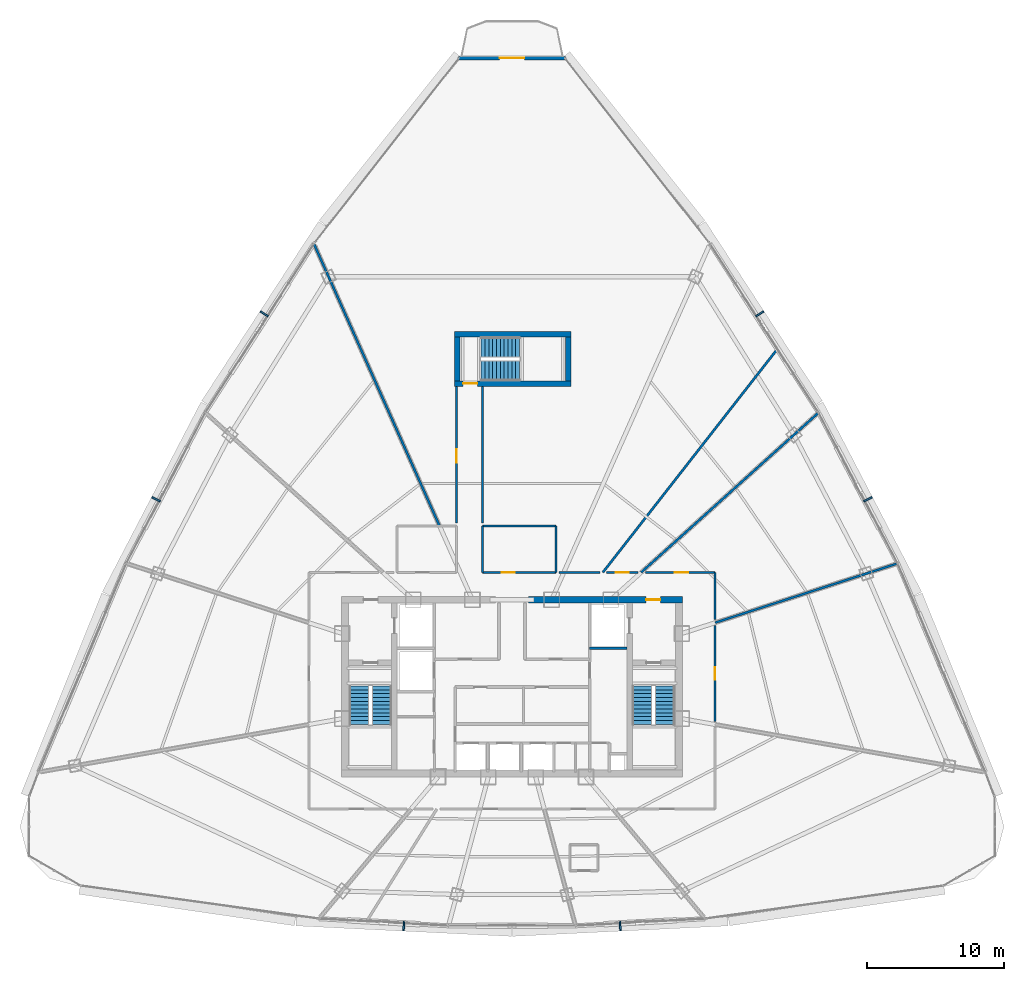
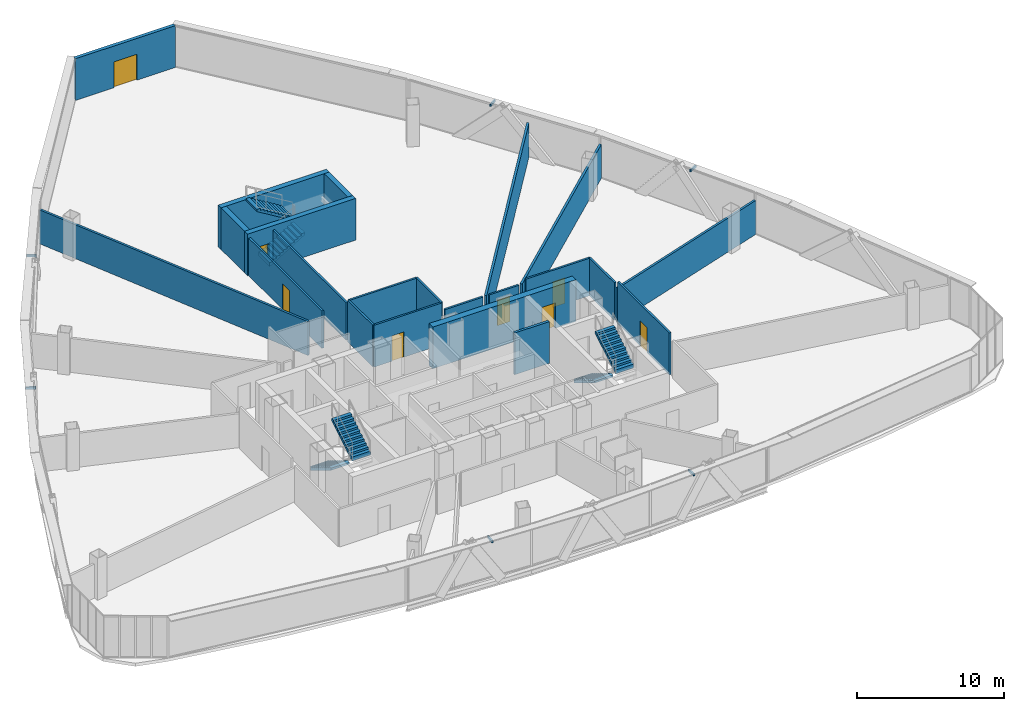
# One storey, part 32 of 36: 22 walls, 8 doors, 6 discrete accessories, 6 stair flights, 8 openings, 3 elements without a shape of their own.
"""IFC4 building model written with IfcOpenShell, lengths in metres."""

import ifcopenshell
import ifcopenshell.guid

model = None  # the IFC model being written
_history = None  # IfcOwnerHistory: only IFC2X3 demands one
_inside = {}  # id of a spatial element -> (the spatial element, [elements in it])
_under = {}  # id of a project, library or spatial element -> (it, [spatial elements below it])
_declared = {}  # id of a project -> (the project, [libraries it declares])
_typed = {}  # id of a type object -> (the type object, [elements of that type])
_made_of = {}  # id of a material, layer set ... -> (it, [elements and type objects made of it])


def new_model(schema):
    """Start an empty IFC model of exactly this schema.

    Asked for "IFC4X3", IfcOpenShell would pick the latest addendum, in which some entities
    have other attributes; the version numbers below select the first issue.
    IFC2X3 requires an IfcOwnerHistory on every rooted entity: one is made here for all.
    """
    global model, _history
    if schema == "IFC4X3":
        model = ifcopenshell.file(schema_version=(4, 3, 0, 0))
    else:
        model = ifcopenshell.file(schema=schema)
    _inside.clear()
    _under.clear()
    _declared.clear()
    _typed.clear()
    _made_of.clear()
    _history = None
    if model.schema == "IFC2X3":
        org = make("IfcOrganization", Name="unknown")
        user = make(
            "IfcPersonAndOrganization",
            ThePerson=make("IfcPerson", FamilyName="unknown"),
            TheOrganization=org,
        )
        app = make(
            "IfcApplication",
            ApplicationDeveloper=org,
            Version="unknown",
            ApplicationFullName="unknown",
            ApplicationIdentifier="unknown",
        )
        _history = make(
            "IfcOwnerHistory",
            OwningUser=user,
            OwningApplication=app,
            ChangeAction="ADDED",
            CreationDate=0,
        )
    return model


def make(cls, **values):
    """One entity of the class cls with the attributes given. An attribute that is None is left unset."""
    return model.create_entity(
        cls, **{name: value for name, value in values.items() if value is not None}
    )


def rooted(cls, **values):
    """An entity with a GlobalId (a new one), such as an element, a storey or a relation."""
    return make(cls, GlobalId=ifcopenshell.guid.new(), OwnerHistory=_history, **values)


def si_unit(unit_type, name, prefix=None):
    """IfcSIUnit, for example si_unit("LENGTHUNIT", "METRE", prefix="MILLI")."""
    return make("IfcSIUnit", UnitType=unit_type, Prefix=prefix, Name=name)


def assignment(units):
    """IfcUnitAssignment: the units of a project."""
    return None if units is None else make("IfcUnitAssignment", Units=units)


def point(xyz):
    """IfcCartesianPoint."""
    return None if xyz is None else make("IfcCartesianPoint", Coordinates=xyz)


def direction(xyz):
    """IfcDirection."""
    return None if xyz is None else make("IfcDirection", DirectionRatios=xyz)


def frame(location, z_axis=None, x_axis=None):
    """IfcAxis2Placement3D, a coordinate frame: its origin and axes. An axis left out is left unset."""
    return make(
        "IfcAxis2Placement3D",
        Location=point(location),
        Axis=direction(z_axis),
        RefDirection=direction(x_axis),
    )


def frame_2d(location, x_axis=None):
    """IfcAxis2Placement2D, a coordinate frame in the plane: its origin and x axis."""
    return make(
        "IfcAxis2Placement2D", Location=point(location), RefDirection=direction(x_axis)
    )


def origin():
    """The frame at (0, 0, 0) with its axes left unset."""
    return frame((0.0, 0.0, 0.0))


def origin_with_axes():
    """The frame at (0, 0, 0) with the z axis (0, 0, 1) and the x axis (1, 0, 0) written out."""
    return frame((0.0, 0.0, 0.0), z_axis=(0.0, 0.0, 1.0), x_axis=(1.0, 0.0, 0.0))


def origin_2d():
    """The frame at (0, 0) in the plane with its x axis left unset."""
    return frame_2d((0.0, 0.0))


def place(relative_to, where):
    """IfcLocalPlacement: puts the frame where relative to a parent placement (None: the world)."""
    return make(
        "IfcLocalPlacement", PlacementRelTo=relative_to, RelativePlacement=where
    )


def context(
    kind, dimensions, precision=None, world=None, true_north=None, identifier=None
):
    """IfcGeometricRepresentationContext, for example the 3D "Model" context."""
    return make(
        "IfcGeometricRepresentationContext",
        ContextIdentifier=identifier,
        ContextType=kind,
        CoordinateSpaceDimension=dimensions,
        Precision=precision,
        WorldCoordinateSystem=world,
        TrueNorth=true_north,
    )


def subcontext(parent, identifier, kind, view, scale=None):
    """IfcGeometricRepresentationSubContext, for example "Body" below "Model"."""
    return make(
        "IfcGeometricRepresentationSubContext",
        ContextIdentifier=identifier,
        ContextType=kind,
        ParentContext=parent,
        TargetScale=scale,
        TargetView=view,
    )


def project(units=None, contexts=None):
    """IfcProject with its units and contexts."""
    return rooted(
        "IfcProject",
        Name="project",
        RepresentationContexts=contexts,
        UnitsInContext=assignment(units),
    )


def spatial(cls, under=None, at=None, **own):
    """A site, building, storey or space (cls), placed at a placement, below another one or the project."""
    s = rooted(cls, ObjectPlacement=at, **own)
    if under is not None:
        _under.setdefault(under.id(), (under, []))[1].append(s)
    return s


def polyline(points):
    """IfcPolyline through the points."""
    return make("IfcPolyline", Points=[point(p) for p in points])


def profile(cls, at=None, kind="AREA", **sizes):
    """A parametric profile (cls). Its sizes go by their IFC names, for example OverallWidth=200.0."""
    return make(cls, ProfileType=kind, Position=at, **sizes)


def rectangle(**sizes):
    """IfcRectangleProfileDef."""
    return profile("IfcRectangleProfileDef", **sizes)


def outline(outer, holes=None, kind="AREA"):
    """IfcArbitraryClosedProfileDef: a profile drawn as a closed curve; with holes, ...WithVoids."""
    if holes is None:
        return make("IfcArbitraryClosedProfileDef", ProfileType=kind, OuterCurve=outer)
    return make(
        "IfcArbitraryProfileDefWithVoids",
        ProfileType=kind,
        OuterCurve=outer,
        InnerCurves=holes,
    )


def extrude(swept, where, along, depth):
    """IfcExtrudedAreaSolid: the profile swept, set in the frame where, extruded along a direction by depth."""
    return make(
        "IfcExtrudedAreaSolid",
        SweptArea=swept,
        Position=where,
        ExtrudedDirection=direction(along),
        Depth=depth,
    )


def shape(context_of_items, identifier, shape_type, items):
    """IfcShapeRepresentation: the items that make up one representation, for example the "Body"."""
    return make(
        "IfcShapeRepresentation",
        ContextOfItems=context_of_items,
        RepresentationIdentifier=identifier,
        RepresentationType=shape_type,
        Items=items,
    )


def source(mapping_origin, context_of_items, identifier, shape_type, items):
    """IfcRepresentationMap: a shape defined once, which mapped items show again and again."""
    return make(
        "IfcRepresentationMap",
        MappingOrigin=mapping_origin,
        MappedRepresentation=shape(context_of_items, identifier, shape_type, items),
    )


def transform(
    local_origin,
    x_axis=None,
    y_axis=None,
    z_axis=None,
    scale=None,
    scale2=None,
    scale3=None,
    uniform=True,
):
    """IfcCartesianTransformationOperator3D, or its non-uniform kind. x_axis, y_axis, z_axis: its Axis1, 2, 3."""
    if uniform:
        return make(
            "IfcCartesianTransformationOperator3D",
            Axis1=direction(x_axis),
            Axis2=direction(y_axis),
            LocalOrigin=point(local_origin),
            Scale=scale,
            Axis3=direction(z_axis),
        )
    return make(
        "IfcCartesianTransformationOperator3DnonUniform",
        Axis1=direction(x_axis),
        Axis2=direction(y_axis),
        LocalOrigin=point(local_origin),
        Scale=scale,
        Axis3=direction(z_axis),
        Scale2=scale2,
        Scale3=scale3,
    )


def mapped(mapping_source, mapping_target):
    """IfcMappedItem: shows the shape of a source again, moved by a transform."""
    return make(
        "IfcMappedItem", MappingSource=mapping_source, MappingTarget=mapping_target
    )


def material(Name=None, Category=None):
    """IfcMaterial."""
    return make("IfcMaterial", Name=Name, Category=Category)


def layer(
    of_material, thickness, ventilated=None, Name=None, Category=None, Priority=None
):
    """IfcMaterialLayer: one layer of a wall or slab, of a material (None: an air gap)."""
    return make(
        "IfcMaterialLayer",
        Material=of_material,
        LayerThickness=thickness,
        IsVentilated=ventilated,
        Name=Name,
        Category=Category,
        Priority=Priority,
    )


def layer_set(layers, Name=None):
    """IfcMaterialLayerSet."""
    return make("IfcMaterialLayerSet", MaterialLayers=layers, LayerSetName=Name)


def made_of(thing, what):
    """Note that an element or type object is made of a material, layer set ...; save() writes the relation."""
    if what is not None:
        _made_of.setdefault(what.id(), (what, []))[1].append(thing)
    return thing


def type_object(cls, material=None, **own):
    """A type object (cls), such as IfcWallType, which elements share."""
    return made_of(rooted(cls, **own), material)


def element(
    cls,
    number,
    at=None,
    inside=None,
    cuts=None,
    type_object=None,
    material=None,
    context=None,
    identifier="Body",
    shape_type=None,
    held_by="IfcProductDefinitionShape",
    body=None,
    shapes=None,
    **own,
):
    """One element of the class cls, such as IfcWall. Its Tag is "e" and its number.

    at: its placement. inside: the storey or other place that contains it. cuts: it is an
    opening in that element (IfcRelVoidsElement). A single representation is given by context,
    identifier, shape_type and body (its items); several are given by shapes. held_by: the class
    of the entity that holds the representations. save() writes the other relations.
    """
    e = rooted(cls, Tag="e%d" % number, ObjectPlacement=at, **own)
    if body is not None:
        shapes = [shape(context, identifier, shape_type, body)]
    if shapes is not None:
        e.Representation = make(held_by, Representations=shapes)
    if inside is not None:
        _inside.setdefault(inside.id(), (inside, []))[1].append(e)
    if cuts is not None:
        rooted(
            "IfcRelVoidsElement", RelatingBuildingElement=cuts, RelatedOpeningElement=e
        )
    if type_object is not None:
        _typed.setdefault(type_object.id(), (type_object, []))[1].append(e)
    return made_of(e, material)


def fill(opening, filler):
    """IfcRelFillsElement: the door or window that sits in an opening."""
    return rooted(
        "IfcRelFillsElement",
        RelatingOpeningElement=opening,
        RelatedBuildingElement=filler,
    )


def aggregate(whole, parts):
    """IfcRelAggregates: a whole, such as a stair, and the parts it consists of."""
    return rooted("IfcRelAggregates", RelatingObject=whole, RelatedObjects=parts)


def save(model, path):
    """Write the relations noted so far, then the file.

    IfcRelAggregates (storeys below a building ...), IfcRelContainedInSpatialStructure (elements
    in a storey), IfcRelDefinesByType, IfcRelAssociatesMaterial and IfcRelDeclares: one each for
    every whole, place, type object, material and project.
    """
    for whole, parts in _under.values():
        aggregate(whole, parts)
    for where, things in _inside.values():
        rooted(
            "IfcRelContainedInSpatialStructure",
            RelatedElements=things,
            RelatingStructure=where,
        )
    for kind, things in _typed.values():
        rooted("IfcRelDefinesByType", RelatedObjects=things, RelatingType=kind)
    for what, things in _made_of.values():
        rooted("IfcRelAssociatesMaterial", RelatedObjects=things, RelatingMaterial=what)
    for by, libraries in _declared.values():
        rooted("IfcRelDeclares", RelatingContext=by, RelatedDefinitions=libraries)
    model.write(path)


model = new_model("IFC4")

# Units and contexts
model_context = context("Model", 3, precision=1e-05, world=origin(), true_north=direction((0.0, 1.0)))
body_context = subcontext(model_context, "Body", "Model", "MODEL_VIEW")
ifc_project = project(units=[si_unit("LENGTHUNIT", "METRE"), si_unit("AREAUNIT", "SQUARE_METRE"), si_unit("VOLUMEUNIT", "CUBIC_METRE"), si_unit("PLANEANGLEUNIT", "RADIAN"), si_unit("MASSUNIT", "GRAM", prefix="KILO"), si_unit("THERMODYNAMICTEMPERATUREUNIT", "KELVIN"), si_unit("POWERUNIT", "WATT")], contexts=[model_context])

# Site, building, storey
site_placement = place(None, origin())
site = spatial("IfcSite", under=ifc_project, at=site_placement, CompositionType="ELEMENT")
building_placement = place(site_placement, origin())
building = spatial("IfcBuilding", under=site, at=building_placement, Name="Yunzhuo Pagoda Commons", CompositionType="ELEMENT")
storey_placement = place(building_placement, frame((0.0, 0.0, 244.530029296875)))
storey = spatial("IfcBuildingStorey", under=building, at=storey_placement, Name="L61", CompositionType="ELEMENT", Elevation=244.530029296875)

# Wall, opening, door
ifc_material_1 = material(Name="Precast concrete C40", Category="concrete")
ifc_layer_1 = layer(ifc_material_1, 0.260009765625)
ifc_layer_set_1 = layer_set([ifc_layer_1], Name="Precast concrete C40")
wall_type_1 = type_object("IfcWallType", Name="W-BAL1 Corner Balcony Threshold Wall 260", PredefinedType="STANDARD", material=ifc_layer_set_1)
wall_1_placement = place(storey_placement, frame((51.923583984375, 79.7998046875, 0.0), z_axis=(0.0, 0.0, 1.0), x_axis=(-1.0, 0.0, 0.0)))
wall_1 = element("IfcWall", 1, at=wall_1_placement, inside=storey, type_object=wall_type_1, Name="L61 corner balcony wall V3", PredefinedType="STANDARD", context=body_context, shape_type="SweptSolid", body=[
    extrude(rectangle(XDim=7.84716796875, YDim=0.260009765625, at=frame_2d((3.923583984375, 0.0))), origin(), (0.0, 0.0, 1.0), 3.469970703125),
])
opening_1_placement = place(wall_1_placement, frame((3.023681640625, 0.0, 0.0)))
opening_1 = element("IfcOpeningElement", 2, at=opening_1_placement, cuts=wall_1, Name="Opening D-BAL1", PredefinedType="OPENING", context=body_context, shape_type="SweptSolid", body=[
    extrude(rectangle(XDim=1.800048828125, YDim=2.14990234375, at=frame_2d((0.89990234375, 1.074951171875))), frame((0.0, 0.14013671875, 0.0), z_axis=(0.0, -1.0, 0.0), x_axis=(1.0, 0.0, 0.0)), (0.0, 0.0, 1.0), 0.280029296875),
])
ifc_material_2 = material(Name="Anodized aluminium frame and tempered glazed leaf", Category="aluminium")
door_type_1 = type_object("IfcDoorType", Name="D-BAL1 Corner Balcony Sliding Glazed Door 1800x2150", OperationType="DOUBLE_DOOR_SLIDING", PredefinedType="DOOR", material=ifc_material_2)
shared_shape_1 = source(origin(), body_context, "Body", "SweptSolid", [
    extrude(rectangle(XDim=1.800048828125, YDim=2.14990234375, at=frame_2d((0.89990234375, 1.074951171875))), frame((0.0, 0.02490234375, 0.0), z_axis=(0.0, -1.0, 0.0), x_axis=(1.0, 0.0, 0.0)), (0.0, 0.0, 1.0), 0.050048828125),
])
door_1_placement = place(opening_1_placement, origin_with_axes())
door_1 = element("IfcDoor", 3, at=door_1_placement, inside=storey, type_object=door_type_1, Name="L61 corner balcony sliding door V3", OperationType="DOUBLE_DOOR_SLIDING", OverallHeight=2.14990234375, OverallWidth=1.800048828125, PredefinedType="DOOR", context=body_context, shape_type="MappedRepresentation", body=[
    mapped(shared_shape_1, transform((0.0, 0.0, 0.0), scale=1.0)),
])
fill(opening_1, door_1)

ifc_material_3 = material(Name="Concrete C50", Category="concrete")
ifc_layer_2 = layer(ifc_material_3, 0.5)
ifc_layer_set_2 = layer_set([ifc_layer_2], Name="Concrete C50")
wall_type_2 = type_object("IfcWallType", Name="W-C03 Upper Core Shear Wall 500", PredefinedType="SHEAR", material=ifc_layer_set_2)
wall_2_placement = place(storey_placement, frame((49.199951171875, 40.199951171875, 0.0), z_axis=(0.0, 0.0, 1.0), x_axis=(1.0, 0.0, 0.0)))
wall_2 = element("IfcWall", 4, at=wall_2_placement, inside=storey, type_object=wall_type_2, Name="L61 core shear wall NE", PredefinedType="SHEAR", context=body_context, shape_type="SweptSolid", body=[
    extrude(rectangle(XDim=11.25, YDim=0.5, at=frame_2d((5.625, 0.0))), origin(), (0.0, 0.0, 1.0), 3.469970703125),
])
opening_2_placement = place(wall_2_placement, frame((8.60009765625, 0.0, 0.0)))
opening_2 = element("IfcOpeningElement", 5, at=opening_2_placement, cuts=wall_2, Name="Opening D-02", PredefinedType="OPENING", context=body_context, shape_type="SweptSolid", body=[
    extrude(rectangle(XDim=1.050048828125, YDim=2.10009765625, at=frame_2d((0.52490234375, 1.050048828125))), frame((0.0, 0.260009765625, 0.0), z_axis=(0.0, -1.0, 0.0), x_axis=(1.0, 0.0, 0.0)), (0.0, 0.0, 1.0), 0.52001953125),
])
ifc_material_4 = material(Name="Galvanized fire-resisting metal leaf")
door_type_2 = type_object("IfcDoorType", Name="D-02 Firefighting Lobby & Refuge Fire Door 1050x2100", OperationType="NOTDEFINED", PredefinedType="DOOR", material=ifc_material_4)
shared_shape_2 = source(origin(), body_context, "Body", "SweptSolid", [
    extrude(rectangle(XDim=1.050048828125, YDim=2.10009765625, at=frame_2d((0.52490234375, 1.050048828125))), frame((0.0, 0.02490234375, 0.0), z_axis=(0.0, -1.0, 0.0), x_axis=(1.0, 0.0, 0.0)), (0.0, 0.0, 1.0), 0.050048828125),
])
door_2_placement = place(opening_2_placement, frame((1.050048828125, 0.0, 0.0), z_axis=(0.0, 0.0, 1.0), x_axis=(-1.0, 0.0, 0.0)))
door_2 = element("IfcDoor", 6, at=door_2_placement, inside=storey, type_object=door_type_2, Name="L61 Firefighting Lobby 2 fire door", OperationType="SINGLE_SWING_RIGHT", OverallHeight=2.10009765625, OverallWidth=1.050048828125, PredefinedType="DOOR", context=body_context, shape_type="MappedRepresentation", body=[
    mapped(shared_shape_2, transform((0.0, 0.0, 0.0), scale=1.0)),
])
fill(opening_2, door_2)

ifc_material_5 = material(Name="Gypsum plasterboard on acoustic stud")
ifc_layer_3 = layer(ifc_material_5, 0.14990234375)
ifc_layer_set_3 = layer_set([ifc_layer_3], Name="Gypsum plasterboard on acoustic stud")
wall_type_3 = type_object("IfcWallType", Name="W-COR3 High-Zone Rated Corridor Wall 150", PredefinedType="PARTITIONING", material=ifc_layer_set_3)
wall_3_placement = place(storey_placement, frame((45.85009765625, 42.199951171875, 0.0), z_axis=(0.0, 0.0, 1.0), x_axis=(1.0, 0.0, 0.0)))
wall_3 = element("IfcWall", 7, at=wall_3_placement, inside=storey, type_object=wall_type_3, Name="L61 interior wall IW-L61-TFES", PredefinedType="PARTITIONING", context=body_context, shape_type="SweptSolid", body=[
    extrude(rectangle(XDim=5.349853515625, YDim=0.14990234375, at=frame_2d((2.6748046875, 0.0))), origin(), (0.0, 0.0, 1.0), 3.469970703125),
])
opening_3_placement = place(wall_3_placement, frame((1.39990234375, 0.0, 0.0)))
opening_3 = element("IfcOpeningElement", 8, at=opening_3_placement, cuts=wall_3, Name="Opening D-11", PredefinedType="OPENING", context=body_context, shape_type="SweptSolid", body=[
    extrude(rectangle(XDim=0.93994140625, YDim=2.10009765625, at=frame_2d((0.469970703125, 1.050048828125))), frame((0.0, 0.0849609375, 0.0), z_axis=(0.0, -1.0, 0.0), x_axis=(1.0, 0.0, 0.0)), (0.0, 0.0, 1.0), 0.169921875),
])
door_type_3 = type_object("IfcDoorType", Name="D-11 Accessible Washroom Fire Door 940x2100", OperationType="NOTDEFINED", PredefinedType="DOOR", material=ifc_material_4)
shared_shape_3 = source(origin(), body_context, "Body", "SweptSolid", [
    extrude(rectangle(XDim=0.93994140625, YDim=2.10009765625, at=frame_2d((0.469970703125, 1.050048828125))), frame((0.0, 0.02490234375, 0.0), z_axis=(0.0, -1.0, 0.0), x_axis=(1.0, 0.0, 0.0)), (0.0, 0.0, 1.0), 0.050048828125),
])
door_3_placement = place(opening_3_placement, frame((0.93994140625, 0.0, 0.0), z_axis=(0.0, 0.0, 1.0), x_axis=(-1.0, 0.0, 0.0)))
door_3 = element("IfcDoor", 9, at=door_3_placement, inside=storey, type_object=door_type_3, Name="L61 accessible WC door", OperationType="SINGLE_SWING_RIGHT", OverallHeight=2.10009765625, OverallWidth=0.93994140625, PredefinedType="DOOR", context=body_context, shape_type="MappedRepresentation", body=[
    mapped(shared_shape_3, transform((0.0, 0.0, 0.0), scale=1.0)),
])
fill(opening_3, door_3)

# Walls
wall_4_placement = place(storey_placement, frame((45.85009765625, 45.60009765625, 0.0), z_axis=(0.0, 0.0, 1.0), x_axis=(1.0, 0.0, 0.0)))
element("IfcWall", 10, at=wall_4_placement, inside=storey, type_object=wall_type_3, Name="L61 interior wall IW-L61-TFEN", PredefinedType="PARTITIONING", context=body_context, shape_type="SweptSolid", body=[
    extrude(rectangle(XDim=5.349853515625, YDim=0.14990234375, at=frame_2d((2.6748046875, 0.0))), origin(), (0.0, 0.0, 1.0), 3.469970703125),
])
for number, where, z_axis, x_axis, name in (
    (11, (45.85009765625, 42.199951171875, 0.0), (0.0, 0.0, 1.0), (0.0, 1.0, 0.0), "L61 interior wall IW-L61-TFEW"),
    (12, (51.199951171875, 42.199951171875, 0.0), (0.0, 0.0, 1.0), (0.0, 1.0, 0.0), "L61 interior wall IW-L61-TFEE"),
):
    element("IfcWall", number, at=place(storey_placement, frame(where, z_axis=z_axis, x_axis=x_axis)), inside=storey, type_object=wall_type_3, Name=name, PredefinedType="PARTITIONING", context=body_context, shape_type="SweptSolid", body=[
        extrude(rectangle(XDim=3.400146484375, YDim=0.14990234375, at=frame_2d((1.7001953125, 0.0))), origin(), (0.0, 0.0, 1.0), 3.469970703125),
    ])

# Wall, opening, door
wall_5_placement = place(storey_placement, frame((43.949951171875, 45.820068359375, 0.0), z_axis=(0.0, 0.0, 1.0), x_axis=(0.0, 1.0, 0.0)))
wall_5 = element("IfcWall", 13, at=wall_5_placement, inside=storey, type_object=wall_type_3, Name="L61 interior wall IW-L61-CWL06", PredefinedType="PARTITIONING", context=body_context, shape_type="SweptSolid", body=[
    extrude(rectangle(XDim=9.9599609375, YDim=0.14990234375, at=frame_2d((4.97998046875, 0.0))), origin(), (0.0, 0.0, 1.0), 3.119873046875),
])
opening_4_placement = place(wall_5_placement, frame((4.39501953125, 0.0, 0.0)))
opening_4 = element("IfcOpeningElement", 14, at=opening_4_placement, cuts=wall_5, Name="Opening D-08", PredefinedType="OPENING", context=body_context, shape_type="SweptSolid", body=[
    extrude(rectangle(XDim=0.97998046875, YDim=2.1201171875, at=frame_2d((0.489990234375, 1.06005859375))), frame((0.0, 0.0849609375, 0.0), z_axis=(0.0, -1.0, 0.0), x_axis=(1.0, 0.0, 0.0)), (0.0, 0.0, 1.0), 0.169921875),
])
door_type_4 = type_object("IfcDoorType", Name="D-08 High-Zone Suite Entrance Fire Door 980x2120", OperationType="NOTDEFINED", PredefinedType="DOOR", material=ifc_material_4)
shared_shape_4 = source(origin(), body_context, "Body", "SweptSolid", [
    extrude(rectangle(XDim=0.97998046875, YDim=2.1201171875, at=frame_2d((0.489990234375, 1.06005859375))), frame((0.0, 0.02490234375, 0.0), z_axis=(0.0, -1.0, 0.0), x_axis=(1.0, 0.0, 0.0)), (0.0, 0.0, 1.0), 0.050048828125),
])
door_4_placement = place(opening_4_placement, origin_with_axes())
door_4 = element("IfcDoor", 15, at=door_4_placement, inside=storey, type_object=door_type_4, Name="L61 Shared Resident Kitchen and Pantry door", OperationType="SINGLE_SWING_LEFT", OverallHeight=2.1201171875, OverallWidth=0.97998046875, PredefinedType="DOOR", context=body_context, shape_type="MappedRepresentation", body=[
    mapped(shared_shape_4, transform((0.0, 0.0, 0.0), scale=1.0)),
])
fill(opening_4, door_4)

# Walls
wall_6_placement = place(storey_placement, frame((45.85009765625, 55.780029296875, 0.0), z_axis=(0.0, 0.0, 1.0), x_axis=(0.0, -1.0, 0.0)))
element("IfcWall", 16, at=wall_6_placement, inside=storey, type_object=wall_type_3, Name="L61 interior wall IW-L61-CWL07", PredefinedType="PARTITIONING", context=body_context, shape_type="SweptSolid", body=[
    extrude(rectangle(XDim=9.9599609375, YDim=0.14990234375, at=frame_2d((4.97998046875, 0.0))), origin(), (0.0, 0.0, 1.0), 3.119873046875),
])
wall_7_placement = place(storey_placement, frame((51.419921875, 42.199951171875, 0.0), z_axis=(0.0, 0.0, 1.0), x_axis=(1.0, 0.0, 0.0)))
element("IfcWall", 17, at=wall_7_placement, inside=storey, type_object=wall_type_3, Name="L61 interior wall IW-L61-CWL08", PredefinedType="PARTITIONING", context=body_context, shape_type="SweptSolid", body=[
    extrude(rectangle(XDim=3.001220703125, YDim=0.14990234375, at=frame_2d((1.50048828125, 0.0))), origin(), (0.0, 0.0, 1.0), 2.820068359375),
])

# Wall, opening, door
wall_8_placement = place(storey_placement, frame((54.920166015625, 42.199951171875, 0.0), z_axis=(0.0, 0.0, 1.0), x_axis=(1.0, 0.0, 0.0)))
wall_8 = element("IfcWall", 18, at=wall_8_placement, inside=storey, type_object=wall_type_3, Name="L61 interior wall IW-L61-CWL09", PredefinedType="PARTITIONING", context=body_context, shape_type="SweptSolid", body=[
    extrude(rectangle(XDim=2.30029296875, YDim=0.14990234375, at=frame_2d((1.150146484375, 0.0))), origin(), (0.0, 0.0, 1.0), 2.820068359375),
])
opening_5_placement = place(wall_8_placement, frame((0.6455078125, 0.0, 0.0)))
opening_5 = element("IfcOpeningElement", 19, at=opening_5_placement, cuts=wall_8, Name="Opening D-08", PredefinedType="OPENING", context=body_context, shape_type="SweptSolid", body=[
    extrude(rectangle(XDim=0.97998046875, YDim=2.1201171875, at=frame_2d((0.489990234375, 1.06005859375))), frame((0.0, 0.0849609375, 0.0), z_axis=(0.0, -1.0, 0.0), x_axis=(1.0, 0.0, 0.0)), (0.0, 0.0, 1.0), 0.169921875),
])
door_5_placement = place(opening_5_placement, origin_with_axes())
door_5 = element("IfcDoor", 20, at=door_5_placement, inside=storey, type_object=door_type_4, Name="L61 unit 03 entrance door", OperationType="SINGLE_SWING_RIGHT", OverallHeight=2.1201171875, OverallWidth=0.97998046875, PredefinedType="DOOR", context=body_context, shape_type="MappedRepresentation", body=[
    mapped(shared_shape_4, transform((0.0, 0.0, 0.0), scale=1.0)),
])
fill(opening_5, door_5)

wall_9_placement = place(storey_placement, frame((57.76904296875, 42.199951171875, 0.0), z_axis=(0.0, 0.0, 1.0), x_axis=(1.0, 0.0, 0.0)))
wall_9 = element("IfcWall", 21, at=wall_9_placement, inside=storey, type_object=wall_type_3, Name="L61 interior wall IW-L61-CWL10", PredefinedType="PARTITIONING", context=body_context, shape_type="SweptSolid", body=[
    extrude(rectangle(XDim=5.0810546875, YDim=0.14990234375, at=frame_2d((2.54052734375, 0.0))), origin(), (0.0, 0.0, 1.0), 3.119873046875),
])
opening_6_placement = place(wall_9_placement, frame((2.131103515625, 0.0, 0.0)))
opening_6 = element("IfcOpeningElement", 22, at=opening_6_placement, cuts=wall_9, Name="Opening D-08", PredefinedType="OPENING", context=body_context, shape_type="SweptSolid", body=[
    extrude(rectangle(XDim=0.97998046875, YDim=2.1201171875, at=frame_2d((0.489990234375, 1.06005859375))), frame((0.0, 0.0849609375, 0.0), z_axis=(0.0, -1.0, 0.0), x_axis=(1.0, 0.0, 0.0)), (0.0, 0.0, 1.0), 0.169921875),
])
door_6_placement = place(opening_6_placement, origin_with_axes())
door_6 = element("IfcDoor", 23, at=door_6_placement, inside=storey, type_object=door_type_4, Name="L61 unit 02 entrance door", OperationType="SINGLE_SWING_LEFT", OverallHeight=2.1201171875, OverallWidth=0.97998046875, PredefinedType="DOOR", context=body_context, shape_type="MappedRepresentation", body=[
    mapped(shared_shape_4, transform((0.0, 0.0, 0.0), scale=1.0)),
])
fill(opening_6, door_6)

# Wall
wall_10_placement = place(storey_placement, frame((62.85009765625, 42.199951171875, 0.0), z_axis=(0.0, 0.0, 1.0), x_axis=(0.0, -1.0, 0.0)))
element("IfcWall", 24, at=wall_10_placement, inside=storey, type_object=wall_type_3, Name="L61 interior wall IW-L61-CWL11", PredefinedType="PARTITIONING", context=body_context, shape_type="SweptSolid", body=[
    extrude(rectangle(XDim=3.443603515625, YDim=0.14990234375, at=frame_2d((1.7216796875, 0.0))), origin(), (0.0, 0.0, 1.0), 3.119873046875),
])

# Wall, opening, door
wall_11_placement = place(storey_placement, frame((62.85009765625, 38.305419921875, 0.0), z_axis=(0.0, 0.0, 1.0), x_axis=(0.0, -1.0, 0.0)))
wall_11 = element("IfcWall", 25, at=wall_11_placement, inside=storey, type_object=wall_type_3, Name="L61 interior wall IW-L61-CWL12", PredefinedType="PARTITIONING", context=body_context, shape_type="SweptSolid", body=[
    extrude(rectangle(XDim=7.004150390625, YDim=0.14990234375, at=frame_2d((3.501953125, 0.0))), origin(), (0.0, 0.0, 1.0), 3.469970703125),
])
opening_7_placement = place(wall_11_placement, frame((3.0419921875, 0.0, 0.0)))
opening_7 = element("IfcOpeningElement", 26, at=opening_7_placement, cuts=wall_11, Name="Opening D-04", PredefinedType="OPENING", context=body_context, shape_type="SweptSolid", body=[
    extrude(rectangle(XDim=0.919921875, YDim=2.10009765625, at=frame_2d((0.4599609375, 1.050048828125))), frame((0.0, 0.0849609375, 0.0), z_axis=(0.0, -1.0, 0.0), x_axis=(1.0, 0.0, 0.0)), (0.0, 0.0, 1.0), 0.169921875),
])
ifc_material_6 = material(Name="Powder-coated aluminium and timber acoustic leaf", Category="wood")
door_type_5 = type_object("IfcDoorType", Name="D-04 Bedroom & Study Interior Door 920x2100", OperationType="NOTDEFINED", PredefinedType="DOOR", material=ifc_material_6)
shared_shape_5 = source(origin(), body_context, "Body", "SweptSolid", [
    extrude(rectangle(XDim=0.919921875, YDim=2.10009765625, at=frame_2d((0.4599609375, 1.050048828125))), frame((0.0, 0.02490234375, 0.0), z_axis=(0.0, -1.0, 0.0), x_axis=(1.0, 0.0, 0.0)), (0.0, 0.0, 1.0), 0.050048828125),
])
door_7_placement = place(opening_7_placement, origin_with_axes())
door_7 = element("IfcDoor", 27, at=door_7_placement, inside=storey, type_object=door_type_5, Name="L61 seminar room 01 door", OperationType="SINGLE_SWING_RIGHT", OverallHeight=2.10009765625, OverallWidth=0.919921875, PredefinedType="DOOR", context=body_context, shape_type="MappedRepresentation", body=[
    mapped(shared_shape_5, transform((0.0, 0.0, 0.0), scale=1.0)),
])
fill(opening_7, door_7)

# Walls
ifc_layer_4 = layer(ifc_material_5, 0.169921875)
ifc_layer_set_4 = layer_set([ifc_layer_4], Name="Gypsum plasterboard on acoustic stud")
wall_type_4 = type_object("IfcWallType", Name="W-PRT4 High-Zone Demising Wall 170", PredefinedType="PARTITIONING", material=ifc_layer_set_4)
wall_12_placement = place(storey_placement, frame((62.85009765625, 38.525146484375, 0.0), z_axis=(0.0, 0.0, 1.0), x_axis=(0.951060404644, 0.309005027011, 0.0)))
element("IfcWall", 28, at=wall_12_placement, inside=storey, type_object=wall_type_4, Name="L61 interior wall IW-L61-RAD01", PredefinedType="PARTITIONING", context=body_context, shape_type="SweptSolid", body=[
    extrude(rectangle(XDim=14.031982421875, YDim=0.169921875, at=frame_2d((7.01611328125, 0.0))), origin(), (0.0, 0.0, 1.0), 2.820068359375),
])
wall_13_placement = place(storey_placement, frame((57.440185546875, 42.199951171875, 0.0), z_axis=(0.0, 0.0, 1.0), x_axis=(0.743140424774, 0.669135493802, 0.0)))
element("IfcWall", 29, at=wall_13_placement, inside=storey, type_object=wall_type_4, Name="L61 interior wall IW-L61-RAD02", PredefinedType="PARTITIONING", context=body_context, shape_type="SweptSolid", body=[
    extrude(rectangle(XDim=17.454833984375, YDim=0.169921875, at=frame_2d((8.7275390625, 0.0))), origin(), (0.0, 0.0, 1.0), 2.820068359375),
])
wall_14_placement = place(storey_placement, frame((54.640869140625, 42.199951171875, 0.0), z_axis=(0.0, 0.0, 1.0), x_axis=(0.615664824624, 0.788008136837, 0.0)))
element("IfcWall", 30, at=wall_14_placement, inside=storey, type_object=wall_type_4, Name="L61 interior wall IW-L61-RAD03", PredefinedType="PARTITIONING", context=body_context, shape_type="SweptSolid", body=[
    extrude(rectangle(XDim=20.74462890625, YDim=0.169921875, at=frame_2d((10.372314453125, 0.0))), origin(), (0.0, 0.0, 1.0), 2.820068359375),
])
wall_15_placement = place(storey_placement, frame((42.701904296875, 45.60009765625, 0.0), z_axis=(0.0, 0.0, 1.0), x_axis=(-0.406745472033, 0.913541526686, 0.0)))
element("IfcWall", 31, at=wall_15_placement, inside=storey, type_object=wall_type_4, Name="L61 interior wall IW-L61-RAD04", PredefinedType="PARTITIONING", context=body_context, shape_type="SweptSolid", body=[
    extrude(rectangle(XDim=22.573974609375, YDim=0.169921875, at=frame_2d((11.287109375, 0.0))), origin(), (0.0, 0.0, 1.0), 2.820068359375),
])
ifc_material_7 = material(Name="Concrete C60", Category="concrete")
ifc_layer_5 = layer(ifc_material_7, 0.39990234375)
ifc_layer_set_5 = layer_set([ifc_layer_5], Name="Concrete C60")
wall_type_5 = type_object("IfcWallType", Name="W-S01 Internal Core Shear Web 400", PredefinedType="SHEAR", material=ifc_layer_set_5)
wall_16_placement = place(storey_placement, frame((43.800048828125, 59.60009765625, 0.0), z_axis=(0.0, 0.0, 1.0), x_axis=(1.0, 0.0, 0.0)))
element("IfcWall", 32, at=wall_16_placement, inside=storey, type_object=wall_type_5, Name="L61 ST3 structural stair wall N", PredefinedType="SHEAR", context=body_context, shape_type="SweptSolid", body=[
    extrude(rectangle(XDim=8.5, YDim=0.39990234375, at=frame_2d((4.25, 0.0))), origin(), (0.0, 0.0, 1.0), 3.469970703125),
])

# Wall, opening, door
wall_17_placement = place(storey_placement, frame((43.800048828125, 56.0, 0.0), z_axis=(0.0, 0.0, 1.0), x_axis=(1.0, 0.0, 0.0)))
wall_17 = element("IfcWall", 33, at=wall_17_placement, inside=storey, type_object=wall_type_5, Name="L61 ST3 structural stair wall S", PredefinedType="SHEAR", context=body_context, shape_type="SweptSolid", body=[
    extrude(rectangle(XDim=8.5, YDim=0.39990234375, at=frame_2d((4.25, 0.0))), origin(), (0.0, 0.0, 1.0), 3.469970703125),
])
opening_8_placement = place(wall_17_placement, frame((0.6201171875, 0.0, 0.0)))
opening_8 = element("IfcOpeningElement", 34, at=opening_8_placement, cuts=wall_17, Name="Opening D-01", PredefinedType="OPENING", context=body_context, shape_type="SweptSolid", body=[
    extrude(rectangle(XDim=1.050048828125, YDim=2.10009765625, at=frame_2d((0.52490234375, 1.050048828125))), frame((0.0, 0.2099609375, 0.0), z_axis=(0.0, -1.0, 0.0), x_axis=(1.0, 0.0, 0.0)), (0.0, 0.0, 1.0), 0.419921875),
])
door_type_6 = type_object("IfcDoorType", Name="D-01 Smokeproof Stair Fire Door 1050x2100", OperationType="NOTDEFINED", PredefinedType="DOOR", material=ifc_material_4)
door_8_placement = place(opening_8_placement, frame((1.050048828125, 0.0, 0.0), z_axis=(0.0, 0.0, 1.0), x_axis=(-1.0, 0.0, 0.0)))
door_8 = element("IfcDoor", 35, at=door_8_placement, inside=storey, type_object=door_type_6, Name="L61 Stair ST3 fire door", OperationType="SINGLE_SWING_LEFT", OverallHeight=2.10009765625, OverallWidth=1.050048828125, PredefinedType="DOOR", context=body_context, shape_type="MappedRepresentation", body=[
    mapped(shared_shape_2, transform((0.0, 0.0, 0.0), scale=1.0)),
])
fill(opening_8, door_8)

# Walls
for number, where, z_axis, x_axis, name in (
    (36, (44.0, 56.199951171875, 0.0), (0.0, 0.0, 1.0), (0.0, 1.0, 0.0), "L61 ST3 structural stair wall W"),
    (37, (52.10009765625, 56.199951171875, 0.0), (0.0, 0.0, 1.0), (0.0, 1.0, 0.0), "L61 ST3 structural stair wall E"),
):
    element("IfcWall", number, at=place(storey_placement, frame(where, z_axis=z_axis, x_axis=x_axis)), inside=storey, type_object=wall_type_5, Name=name, PredefinedType="SHEAR", context=body_context, shape_type="SweptSolid", body=[
        extrude(rectangle(XDim=3.199951171875, YDim=0.39990234375, at=frame_2d((1.60009765625, 0.0))), origin(), (0.0, 0.0, 1.0), 3.469970703125),
    ])
ifc_material_8 = material(Name="Concrete C40", Category="concrete")
ifc_layer_6 = layer(ifc_material_8, 0.199951171875)
ifc_layer_set_6 = layer_set([ifc_layer_6], Name="Concrete C40")
wall_type_6 = type_object("IfcWallType", Name="W-SHF Shaft & Stair Enclosure Wall 200", PredefinedType="SOLIDWALL", material=ifc_layer_set_6)
wall_18_placement = place(storey_placement, frame((53.679931640625, 36.64990234375, 0.0), z_axis=(0.0, 0.0, 1.0), x_axis=(1.0, 0.0, 0.0)))
element("IfcWall", 38, at=wall_18_placement, inside=storey, type_object=wall_type_6, Name="L61 interior wall IW-L61-FL2S", PredefinedType="SOLIDWALL", context=body_context, shape_type="SweptSolid", body=[
    extrude(rectangle(XDim=2.719970703125, YDim=0.199951171875, at=frame_2d((1.35986328125, 0.0))), origin(), (0.0, 0.0, 1.0), 3.469970703125),
])

# Stair, stair flights
stair_type_1 = type_object("IfcStairType", Name="ST-C1 Core Smokeproof Stair ST1", PredefinedType="HALF_TURN_STAIR", material=ifc_material_8)
stair_1_placement = place(storey_placement, origin())
stair_1 = element("IfcStair", 39, at=stair_1_placement, inside=storey, type_object=stair_type_1, Name="L61 Core smokeproof stair ST1", PredefinedType="HALF_TURN_STAIR")
stair_flight_type_1 = type_object("IfcStairFlightType", Name="STF-C1 Core Stair Flight 1450", PredefinedType="STRAIGHT", material=ifc_material_8)
shared_shape_6 = source(origin(), body_context, "Body", "SweptSolid", [
    extrude(outline(polyline([(0.0, -0.14990234375), (0.0, 0.0), (0.0, 0.16943359375), (0.280029296875, 0.16943359375), (0.280029296875, 0.339111328125), (0.56005859375, 0.339111328125), (0.56005859375, 0.508544921875), (0.840087890625, 0.508544921875), (0.840087890625, 0.67822265625), (1.1201171875, 0.67822265625), (1.1201171875, 0.84765625), (1.39990234375, 0.84765625), (1.39990234375, 1.017333984375), (1.679931640625, 1.017333984375), (1.679931640625, 1.186767578125), (1.9599609375, 1.186767578125), (1.9599609375, 1.3564453125), (2.239990234375, 1.3564453125), (2.239990234375, 1.52587890625), (2.52001953125, 1.52587890625), (2.52001953125, 1.695556640625), (2.800048828125, 1.695556640625), (2.800048828125, 1.864990234375), (2.800048828125, 1.520263671875), (0.289306640625, 0.0), (0.050048828125, -0.14990234375), (0.0, -0.14990234375)])), frame((0.0, 0.72509765625, 0.0), z_axis=(0.0, -1.0, 0.0), x_axis=(1.0, 0.0, 0.0)), (0.0, 0.0, 1.0), 1.449951171875),
])
stair_flight_1_placement = place(storey_placement, frame((36.824951171875, 33.89990234375, 0.0), z_axis=(0.0, 0.0, 1.0), x_axis=(0.0, -1.0, 0.0)))
stair_flight_1 = element("IfcStairFlight", 40, at=stair_flight_1_placement, type_object=stair_flight_type_1, Name="ST1 flight 1", NumberOfRisers=11, NumberOfTreads=10, PredefinedType="STRAIGHT", RiserHeight=0.169545455, TreadLength=0.28, context=body_context, shape_type="MappedRepresentation", body=[
    mapped(shared_shape_6, transform((0.0, 0.0, 0.0), scale=1.0)),
])
stair_flight_2_placement = place(storey_placement, frame((38.47509765625, 31.10009765625, 1.864990234375), z_axis=(0.0, 0.0, 1.0), x_axis=(0.0, 1.0, 0.0)))
stair_flight_2 = element("IfcStairFlight", 41, at=stair_flight_2_placement, type_object=stair_flight_type_1, Name="ST1 flight 2", NumberOfRisers=11, NumberOfTreads=10, PredefinedType="STRAIGHT", RiserHeight=0.169545455, TreadLength=0.28, context=body_context, shape_type="MappedRepresentation", body=[
    mapped(shared_shape_6, transform((0.0, 0.0, 0.0), scale=1.0)),
])
aggregate(stair_1, [stair_flight_1, stair_flight_2])

stair_type_2 = type_object("IfcStairType", Name="ST-C2 Core Smokeproof Stair ST2", PredefinedType="HALF_TURN_STAIR", material=ifc_material_8)
stair_2_placement = place(storey_placement, origin())
stair_2 = element("IfcStair", 42, at=stair_2_placement, inside=storey, type_object=stair_type_2, Name="L61 Core smokeproof stair ST2", PredefinedType="HALF_TURN_STAIR")
stair_flight_type_2 = type_object("IfcStairFlightType", Name="STF-C2 Core Stair Flight 1460", PredefinedType="STRAIGHT", material=ifc_material_8)
stair_flight_3_placement = place(storey_placement, frame((57.52490234375, 33.89990234375, 0.0), z_axis=(0.0, 0.0, 1.0), x_axis=(0.0, -1.0, 0.0)))
stair_flight_3 = element("IfcStairFlight", 43, at=stair_flight_3_placement, type_object=stair_flight_type_2, Name="ST2 flight 1", NumberOfRisers=11, NumberOfTreads=10, PredefinedType="STRAIGHT", RiserHeight=0.169545455, TreadLength=0.28, context=body_context, shape_type="MappedRepresentation", body=[
    mapped(shared_shape_6, transform((0.0, 0.0, 0.0), scale=1.0)),
])
stair_flight_4_placement = place(storey_placement, frame((59.175048828125, 31.10009765625, 1.864990234375), z_axis=(0.0, 0.0, 1.0), x_axis=(0.0, 1.0, 0.0)))
stair_flight_4 = element("IfcStairFlight", 44, at=stair_flight_4_placement, type_object=stair_flight_type_2, Name="ST2 flight 2", NumberOfRisers=11, NumberOfTreads=10, PredefinedType="STRAIGHT", RiserHeight=0.169545455, TreadLength=0.28, context=body_context, shape_type="MappedRepresentation", body=[
    mapped(shared_shape_6, transform((0.0, 0.0, 0.0), scale=1.0)),
])
aggregate(stair_2, [stair_flight_3, stair_flight_4])

stair_type_3 = type_object("IfcStairType", Name="ST-C3 North Tower Smokeproof Stair ST3", PredefinedType="HALF_TURN_STAIR", material=ifc_material_8)
stair_3_placement = place(storey_placement, origin())
stair_3 = element("IfcStair", 45, at=stair_3_placement, inside=storey, type_object=stair_type_3, Name="L61 North tower smokeproof stair ST3", PredefinedType="HALF_TURN_STAIR")
stair_flight_type_3 = type_object("IfcStairFlightType", Name="STF-C3 North Stair Flight 1500", PredefinedType="STRAIGHT", material=ifc_material_8)
shared_shape_7 = source(origin(), body_context, "Body", "SweptSolid", [
    extrude(outline(polyline([(0.0, -0.14990234375), (0.0, 0.0), (0.0, 0.16943359375), (0.280029296875, 0.16943359375), (0.280029296875, 0.339111328125), (0.56005859375, 0.339111328125), (0.56005859375, 0.508544921875), (0.840087890625, 0.508544921875), (0.840087890625, 0.67822265625), (1.1201171875, 0.67822265625), (1.1201171875, 0.84765625), (1.39990234375, 0.84765625), (1.39990234375, 1.017333984375), (1.679931640625, 1.017333984375), (1.679931640625, 1.186767578125), (1.9599609375, 1.186767578125), (1.9599609375, 1.3564453125), (2.239990234375, 1.3564453125), (2.239990234375, 1.52587890625), (2.52001953125, 1.52587890625), (2.52001953125, 1.695556640625), (2.800048828125, 1.695556640625), (2.800048828125, 1.864990234375), (2.800048828125, 1.520263671875), (0.289306640625, 0.0), (0.050048828125, -0.14990234375), (0.0, -0.14990234375)])), frame((0.0, 0.75, 0.0), z_axis=(0.0, -1.0, 0.0), x_axis=(1.0, 0.0, 0.0)), (0.0, 0.0, 1.0), 1.5),
])
stair_flight_5_placement = place(storey_placement, frame((45.75, 56.949951171875, 0.0), z_axis=(0.0, 0.0, 1.0), x_axis=(1.0, 0.0, 0.0)))
stair_flight_5 = element("IfcStairFlight", 46, at=stair_flight_5_placement, type_object=stair_flight_type_3, Name="ST3 flight 1", NumberOfRisers=11, NumberOfTreads=10, PredefinedType="STRAIGHT", RiserHeight=0.169545455, TreadLength=0.28, context=body_context, shape_type="MappedRepresentation", body=[
    mapped(shared_shape_7, transform((0.0, 0.0, 0.0), scale=1.0)),
])
stair_flight_6_placement = place(storey_placement, frame((48.550048828125, 58.64990234375, 1.864990234375), z_axis=(0.0, 0.0, 1.0), x_axis=(-1.0, 0.0, 0.0)))
stair_flight_6 = element("IfcStairFlight", 47, at=stair_flight_6_placement, type_object=stair_flight_type_3, Name="ST3 flight 2", NumberOfRisers=11, NumberOfTreads=10, PredefinedType="STRAIGHT", RiserHeight=0.169545455, TreadLength=0.28, context=body_context, shape_type="MappedRepresentation", body=[
    mapped(shared_shape_7, transform((0.0, 0.0, 0.0), scale=1.0)),
])
aggregate(stair_3, [stair_flight_5, stair_flight_6])

# Discrete accessories
ifc_material_9 = material(Name="Anodized aluminium 6063-T6", Category="aluminium")
discrete_accessory_type = type_object("IfcDiscreteAccessoryType", Name="BK-SUN1 Sunshade Outrigger Bracket", PredefinedType="BRACKET", material=ifc_material_9)
shared_shape_8 = source(origin(), body_context, "Body", "SweptSolid", [
    extrude(rectangle(XDim=0.1201171875, YDim=0.679931640625, at=origin_2d()), origin(), (0.0, 0.0, 1.0), 0.179931640625),
])
for number, where, z_axis, x_axis, name in (
    (48, (40.091796875, 16.343017578125, 3.259765625), (0.0, 0.0, 1.0), (0.998818043775, -0.04860571396, 0.0), "L61 sunshade outrigger bracket F1.2"),
    (49, (55.908203125, 16.343017578125, 3.259765625), (0.0, 0.0, 1.0), (0.998818043775, 0.04860571396, 0.0), "L61 sunshade outrigger bracket F1.3"),
    (50, (74.02099609375, 47.55078125, 3.259765625), (0.0, 0.0, 1.0), (-0.461206683033, 0.88729273384, 0.0), "L61 sunshade outrigger bracket F2.2"),
    (51, (66.112548828125, 61.0986328125, 3.259765625), (0.0, 0.0, 1.0), (-0.545838756973, 0.837890238269, 0.0), "L61 sunshade outrigger bracket F2.3"),
    (52, (29.887451171875, 61.0986328125, 3.259765625), (0.0, 0.0, 1.0), (-0.545838756973, -0.837890238269, 0.0), "L61 sunshade outrigger bracket F3.2"),
    (53, (21.97900390625, 47.55078125, 3.259765625), (0.0, 0.0, 1.0), (-0.461206683033, -0.88729273384, 0.0), "L61 sunshade outrigger bracket F3.3"),
):
    element("IfcDiscreteAccessory", number, at=place(storey_placement, frame(where, z_axis=z_axis, x_axis=x_axis)), inside=storey, type_object=discrete_accessory_type, Name=name, PredefinedType="BRACKET", context=body_context, shape_type="MappedRepresentation", body=[
        mapped(shared_shape_8, transform((0.0, 0.0, 0.0), scale=1.0)),
    ])

save(model, "model.ifc")
